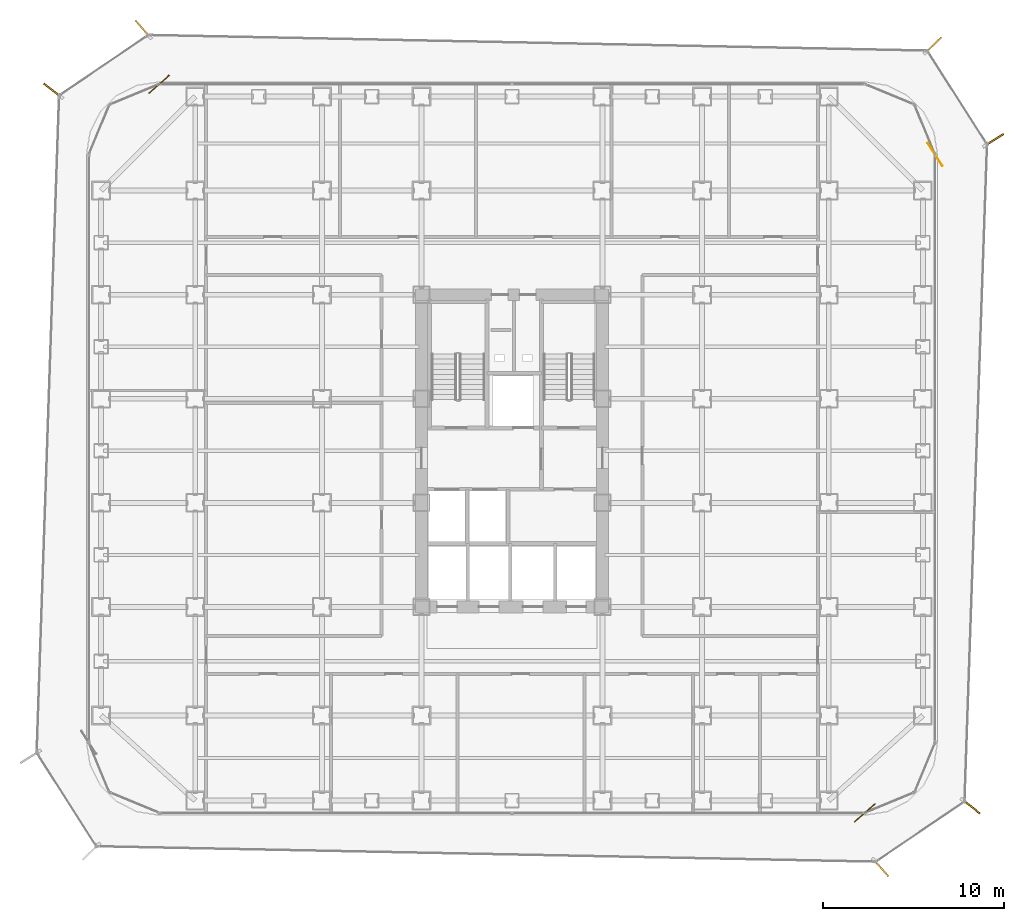
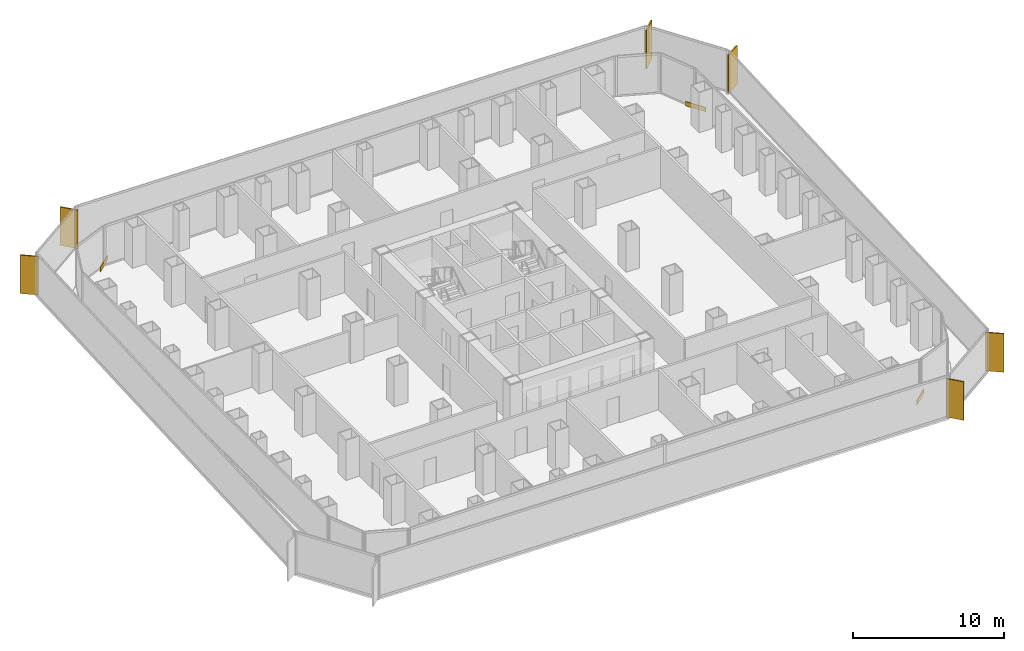
# One storey, part 22 of 22: 6 shading devices, 3 coverings.
"""IFC4 building model written with IfcOpenShell, lengths in metres."""

import ifcopenshell
import ifcopenshell.guid

model = None  # the IFC model being written
_history = None  # IfcOwnerHistory: only IFC2X3 demands one
_inside = {}  # id of a spatial element -> (the spatial element, [elements in it])
_under = {}  # id of a project, library or spatial element -> (it, [spatial elements below it])
_declared = {}  # id of a project -> (the project, [libraries it declares])
_typed = {}  # id of a type object -> (the type object, [elements of that type])
_made_of = {}  # id of a material, layer set ... -> (it, [elements and type objects made of it])


def new_model(schema):
    """Start an empty IFC model of exactly this schema.

    Asked for "IFC4X3", IfcOpenShell would pick the latest addendum, in which some entities
    have other attributes; the version numbers below select the first issue.
    IFC2X3 requires an IfcOwnerHistory on every rooted entity: one is made here for all.
    """
    global model, _history
    if schema == "IFC4X3":
        model = ifcopenshell.file(schema_version=(4, 3, 0, 0))
    else:
        model = ifcopenshell.file(schema=schema)
    _inside.clear()
    _under.clear()
    _declared.clear()
    _typed.clear()
    _made_of.clear()
    _history = None
    if model.schema == "IFC2X3":
        org = make("IfcOrganization", Name="unknown")
        user = make(
            "IfcPersonAndOrganization",
            ThePerson=make("IfcPerson", FamilyName="unknown"),
            TheOrganization=org,
        )
        app = make(
            "IfcApplication",
            ApplicationDeveloper=org,
            Version="unknown",
            ApplicationFullName="unknown",
            ApplicationIdentifier="unknown",
        )
        _history = make(
            "IfcOwnerHistory",
            OwningUser=user,
            OwningApplication=app,
            ChangeAction="ADDED",
            CreationDate=0,
        )
    return model


def make(cls, **values):
    """One entity of the class cls with the attributes given. An attribute that is None is left unset."""
    return model.create_entity(
        cls, **{name: value for name, value in values.items() if value is not None}
    )


def rooted(cls, **values):
    """An entity with a GlobalId (a new one), such as an element, a storey or a relation."""
    return make(cls, GlobalId=ifcopenshell.guid.new(), OwnerHistory=_history, **values)


def si_unit(unit_type, name, prefix=None):
    """IfcSIUnit, for example si_unit("LENGTHUNIT", "METRE", prefix="MILLI")."""
    return make("IfcSIUnit", UnitType=unit_type, Prefix=prefix, Name=name)


def assignment(units):
    """IfcUnitAssignment: the units of a project."""
    return None if units is None else make("IfcUnitAssignment", Units=units)


def point(xyz):
    """IfcCartesianPoint."""
    return None if xyz is None else make("IfcCartesianPoint", Coordinates=xyz)


def direction(xyz):
    """IfcDirection."""
    return None if xyz is None else make("IfcDirection", DirectionRatios=xyz)


def frame(location, z_axis=None, x_axis=None):
    """IfcAxis2Placement3D, a coordinate frame: its origin and axes. An axis left out is left unset."""
    return make(
        "IfcAxis2Placement3D",
        Location=point(location),
        Axis=direction(z_axis),
        RefDirection=direction(x_axis),
    )


def frame_2d(location, x_axis=None):
    """IfcAxis2Placement2D, a coordinate frame in the plane: its origin and x axis."""
    return make(
        "IfcAxis2Placement2D", Location=point(location), RefDirection=direction(x_axis)
    )


def origin():
    """The frame at (0, 0, 0) with its axes left unset."""
    return frame((0.0, 0.0, 0.0))


def origin_2d():
    """The frame at (0, 0) in the plane with its x axis left unset."""
    return frame_2d((0.0, 0.0))


def place(relative_to, where):
    """IfcLocalPlacement: puts the frame where relative to a parent placement (None: the world)."""
    return make(
        "IfcLocalPlacement", PlacementRelTo=relative_to, RelativePlacement=where
    )


def context(
    kind, dimensions, precision=None, world=None, true_north=None, identifier=None
):
    """IfcGeometricRepresentationContext, for example the 3D "Model" context."""
    return make(
        "IfcGeometricRepresentationContext",
        ContextIdentifier=identifier,
        ContextType=kind,
        CoordinateSpaceDimension=dimensions,
        Precision=precision,
        WorldCoordinateSystem=world,
        TrueNorth=true_north,
    )


def subcontext(parent, identifier, kind, view, scale=None):
    """IfcGeometricRepresentationSubContext, for example "Body" below "Model"."""
    return make(
        "IfcGeometricRepresentationSubContext",
        ContextIdentifier=identifier,
        ContextType=kind,
        ParentContext=parent,
        TargetScale=scale,
        TargetView=view,
    )


def project(units=None, contexts=None):
    """IfcProject with its units and contexts."""
    return rooted(
        "IfcProject",
        Name="project",
        RepresentationContexts=contexts,
        UnitsInContext=assignment(units),
    )


def spatial(cls, under=None, at=None, **own):
    """A site, building, storey or space (cls), placed at a placement, below another one or the project."""
    s = rooted(cls, ObjectPlacement=at, **own)
    if under is not None:
        _under.setdefault(under.id(), (under, []))[1].append(s)
    return s


def profile(cls, at=None, kind="AREA", **sizes):
    """A parametric profile (cls). Its sizes go by their IFC names, for example OverallWidth=200.0."""
    return make(cls, ProfileType=kind, Position=at, **sizes)


def rectangle(**sizes):
    """IfcRectangleProfileDef."""
    return profile("IfcRectangleProfileDef", **sizes)


def extrude(swept, where, along, depth):
    """IfcExtrudedAreaSolid: the profile swept, set in the frame where, extruded along a direction by depth."""
    return make(
        "IfcExtrudedAreaSolid",
        SweptArea=swept,
        Position=where,
        ExtrudedDirection=direction(along),
        Depth=depth,
    )


def shape(context_of_items, identifier, shape_type, items):
    """IfcShapeRepresentation: the items that make up one representation, for example the "Body"."""
    return make(
        "IfcShapeRepresentation",
        ContextOfItems=context_of_items,
        RepresentationIdentifier=identifier,
        RepresentationType=shape_type,
        Items=items,
    )


def source(mapping_origin, context_of_items, identifier, shape_type, items):
    """IfcRepresentationMap: a shape defined once, which mapped items show again and again."""
    return make(
        "IfcRepresentationMap",
        MappingOrigin=mapping_origin,
        MappedRepresentation=shape(context_of_items, identifier, shape_type, items),
    )


def transform(
    local_origin,
    x_axis=None,
    y_axis=None,
    z_axis=None,
    scale=None,
    scale2=None,
    scale3=None,
    uniform=True,
):
    """IfcCartesianTransformationOperator3D, or its non-uniform kind. x_axis, y_axis, z_axis: its Axis1, 2, 3."""
    if uniform:
        return make(
            "IfcCartesianTransformationOperator3D",
            Axis1=direction(x_axis),
            Axis2=direction(y_axis),
            LocalOrigin=point(local_origin),
            Scale=scale,
            Axis3=direction(z_axis),
        )
    return make(
        "IfcCartesianTransformationOperator3DnonUniform",
        Axis1=direction(x_axis),
        Axis2=direction(y_axis),
        LocalOrigin=point(local_origin),
        Scale=scale,
        Axis3=direction(z_axis),
        Scale2=scale2,
        Scale3=scale3,
    )


def mapped(mapping_source, mapping_target):
    """IfcMappedItem: shows the shape of a source again, moved by a transform."""
    return make(
        "IfcMappedItem", MappingSource=mapping_source, MappingTarget=mapping_target
    )


def material(Name=None, Category=None):
    """IfcMaterial."""
    return make("IfcMaterial", Name=Name, Category=Category)


def layer(
    of_material, thickness, ventilated=None, Name=None, Category=None, Priority=None
):
    """IfcMaterialLayer: one layer of a wall or slab, of a material (None: an air gap)."""
    return make(
        "IfcMaterialLayer",
        Material=of_material,
        LayerThickness=thickness,
        IsVentilated=ventilated,
        Name=Name,
        Category=Category,
        Priority=Priority,
    )


def layer_set(layers, Name=None):
    """IfcMaterialLayerSet."""
    return make("IfcMaterialLayerSet", MaterialLayers=layers, LayerSetName=Name)


def made_of(thing, what):
    """Note that an element or type object is made of a material, layer set ...; save() writes the relation."""
    if what is not None:
        _made_of.setdefault(what.id(), (what, []))[1].append(thing)
    return thing


def type_object(cls, material=None, **own):
    """A type object (cls), such as IfcWallType, which elements share."""
    return made_of(rooted(cls, **own), material)


def element(
    cls,
    number,
    at=None,
    inside=None,
    cuts=None,
    type_object=None,
    material=None,
    context=None,
    identifier="Body",
    shape_type=None,
    held_by="IfcProductDefinitionShape",
    body=None,
    shapes=None,
    **own,
):
    """One element of the class cls, such as IfcWall. Its Tag is "e" and its number.

    at: its placement. inside: the storey or other place that contains it. cuts: it is an
    opening in that element (IfcRelVoidsElement). A single representation is given by context,
    identifier, shape_type and body (its items); several are given by shapes. held_by: the class
    of the entity that holds the representations. save() writes the other relations.
    """
    e = rooted(cls, Tag="e%d" % number, ObjectPlacement=at, **own)
    if body is not None:
        shapes = [shape(context, identifier, shape_type, body)]
    if shapes is not None:
        e.Representation = make(held_by, Representations=shapes)
    if inside is not None:
        _inside.setdefault(inside.id(), (inside, []))[1].append(e)
    if cuts is not None:
        rooted(
            "IfcRelVoidsElement", RelatingBuildingElement=cuts, RelatedOpeningElement=e
        )
    if type_object is not None:
        _typed.setdefault(type_object.id(), (type_object, []))[1].append(e)
    return made_of(e, material)


def aggregate(whole, parts):
    """IfcRelAggregates: a whole, such as a stair, and the parts it consists of."""
    return rooted("IfcRelAggregates", RelatingObject=whole, RelatedObjects=parts)


def save(model, path):
    """Write the relations noted so far, then the file.

    IfcRelAggregates (storeys below a building ...), IfcRelContainedInSpatialStructure (elements
    in a storey), IfcRelDefinesByType, IfcRelAssociatesMaterial and IfcRelDeclares: one each for
    every whole, place, type object, material and project.
    """
    for whole, parts in _under.values():
        aggregate(whole, parts)
    for where, things in _inside.values():
        rooted(
            "IfcRelContainedInSpatialStructure",
            RelatedElements=things,
            RelatingStructure=where,
        )
    for kind, things in _typed.values():
        rooted("IfcRelDefinesByType", RelatedObjects=things, RelatingType=kind)
    for what, things in _made_of.values():
        rooted("IfcRelAssociatesMaterial", RelatedObjects=things, RelatingMaterial=what)
    for by, libraries in _declared.values():
        rooted("IfcRelDeclares", RelatingContext=by, RelatedDefinitions=libraries)
    model.write(path)


model = new_model("IFC4")

# Units and contexts
model_context = context("Model", 3, precision=1e-05, world=origin(), true_north=direction((0.0, 1.0)))
body_context = subcontext(model_context, "Body", "Model", "MODEL_VIEW")
ifc_project = project(units=[si_unit("LENGTHUNIT", "METRE"), si_unit("AREAUNIT", "SQUARE_METRE"), si_unit("VOLUMEUNIT", "CUBIC_METRE"), si_unit("PLANEANGLEUNIT", "RADIAN"), si_unit("MASSUNIT", "GRAM", prefix="KILO")], contexts=[model_context])

# Site, building, storey
site_placement = place(None, origin())
site = spatial("IfcSite", under=ifc_project, at=site_placement, CompositionType="ELEMENT")
building_placement = place(site_placement, origin())
building = spatial("IfcBuilding", under=site, at=building_placement, Name="Kolveth Station Tower", CompositionType="ELEMENT")
storey_placement = place(building_placement, frame((0.0, 0.0, 84.60009765625)))
storey = spatial("IfcBuildingStorey", under=building, at=storey_placement, Name="L22", CompositionType="ELEMENT", Elevation=84.60009765625)

# Shading devices
ifc_material_1 = material(Name="Black anodized aluminium 6063-T6", Category="aluminium")
shading_device_type = type_object("IfcShadingDeviceType", Name="FIN_VF1", PredefinedType="USERDEFINED", material=ifc_material_1)
shared_shape_1 = source(origin(), body_context, "Body", "SweptSolid", [
    extrude(rectangle(XDim=1.25, YDim=0.090087890625, at=origin_2d()), origin(), (0.0, 0.0, 1.0), 3.10009765625),
])
for number, where, z_axis, x_axis, name in (
    (1, (43.889892578125, -2.923095703125, -0.000244140625), (0.0, 0.0, 1.0), (0.660657018202, -0.750687887408, 0.0), "L22 Dark-Aluminium Solar Fin 1"),
    (2, (48.864013671875, 0.470947265625, -0.000244140625), (0.0, 0.0, 1.0), (0.788547719477, -0.614973571877, 0.0), "L22 Dark-Aluminium Solar Fin 2"),
    (3, (50.134033203125, 37.298095703125, -0.000244140625), (0.0, 0.0, 1.0), (0.842264279204, 0.539064823539, 0.0), "L22 Dark-Aluminium Solar Fin 3"),
    (4, (46.777099609375, 42.5390625, -0.000244140625), (0.0, 0.0, 1.0), (0.722243259262, 0.691639121545, 0.0), "L22 Dark-Aluminium Solar Fin 4"),
    (5, (3.10888671875, 43.428955078125, -0.000244140625), (0.0, 0.0, 1.0), (-0.660525988387, 0.750803182375, 0.0), "L22 Dark-Aluminium Solar Fin 5"),
    (6, (-1.868896484375, 40.031982421875, -0.000244140625), (0.0, 0.0, 1.0), (-0.788547719477, 0.614973571877, 0.0), "L22 Dark-Aluminium Solar Fin 6"),
):
    element("IfcShadingDevice", number, at=place(storey_placement, frame(where, z_axis=z_axis, x_axis=x_axis)), inside=storey, type_object=shading_device_type, Name=name, ObjectType="FIN", PredefinedType="USERDEFINED", context=body_context, shape_type="MappedRepresentation", body=[
        mapped(shared_shape_1, transform((0.0, 0.0, 0.0), x_axis=(1.0, 0.0, 0.0), y_axis=(0.0, 1.0, 0.0), z_axis=(0.0, 0.0, 1.0), scale=1.0)),
    ])

# Coverings
ifc_material_2 = material(Name="Charcoal anodized aluminium spandrel cladding", Category="aluminium")
ifc_layer = layer(ifc_material_2, 0.044921875)
ifc_layer_set = layer_set([ifc_layer], Name="Charcoal anodized aluminium spandrel cladding")
covering_type = type_object("IfcCoveringType", Name="Clad_CD1", PredefinedType="CLADDING", material=ifc_layer_set)
shared_shape_2 = source(origin(), body_context, "Body", "SweptSolid", [
    extrude(rectangle(XDim=1.5, YDim=0.044921875, at=origin_2d()), origin(), (0.0, 0.0, 1.0), 0.360107421875),
])
for number, where, z_axis, x_axis, name in (
    (7, (43.0, 0.1201171875, 0.0), (0.0, 0.0, 1.0), (0.750687887408, 0.660657018202, 0.0), "L22 Spandrel Edge Cladding 1"),
    (8, (46.8798828125, 36.5, 0.0), (0.0, 0.0, 1.0), (-0.539064823539, 0.842264279204, 0.0), "L22 Spandrel Edge Cladding 3"),
    (9, (4.0, 40.3798828125, 0.0), (0.0, 0.0, 1.0), (-0.750803182375, -0.660525988387, 0.0), "L22 Spandrel Edge Cladding 5"),
):
    element("IfcCovering", number, at=place(storey_placement, frame(where, z_axis=z_axis, x_axis=x_axis)), inside=storey, type_object=covering_type, Name=name, PredefinedType="CLADDING", context=body_context, shape_type="MappedRepresentation", body=[
        mapped(shared_shape_2, transform((0.0, 0.0, 0.0), x_axis=(1.0, 0.0, 0.0), y_axis=(0.0, 1.0, 0.0), z_axis=(0.0, 0.0, 1.0), scale=1.0)),
    ])

save(model, "model.ifc")
